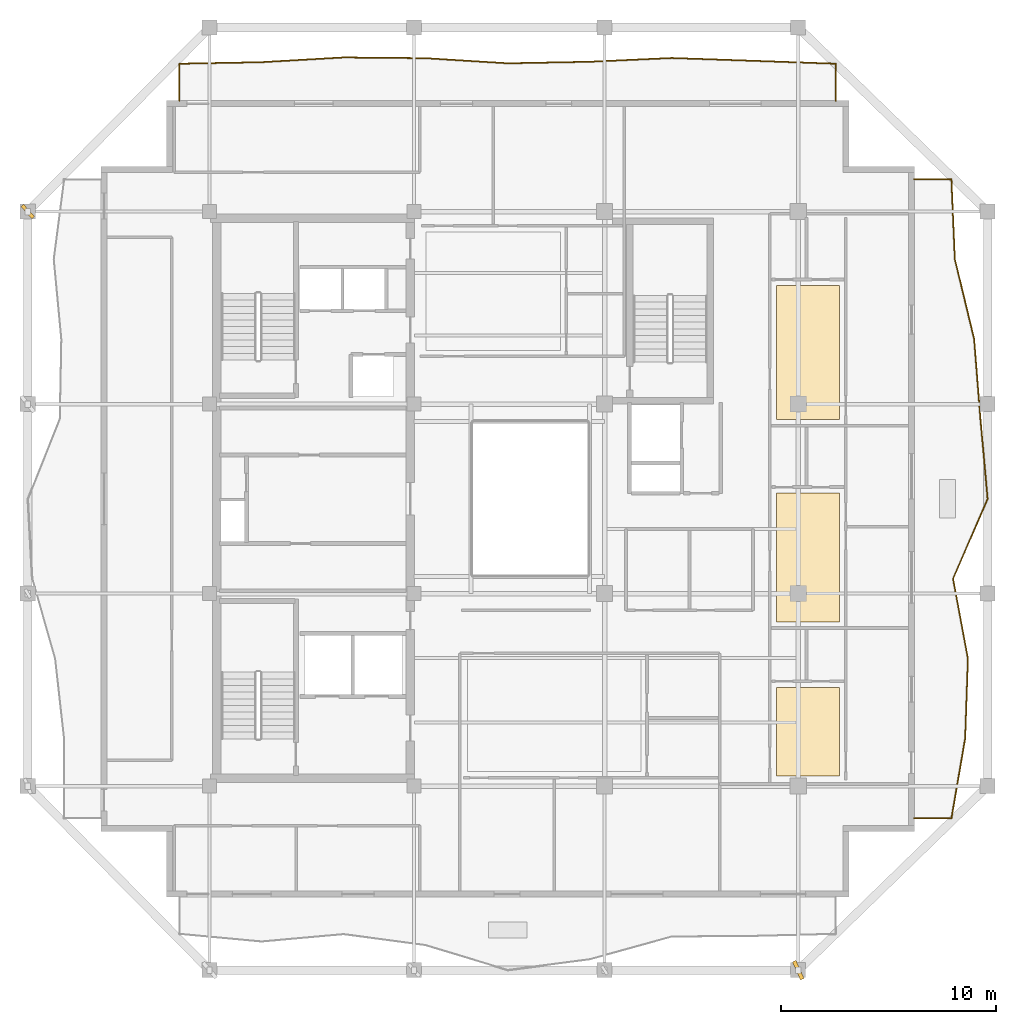
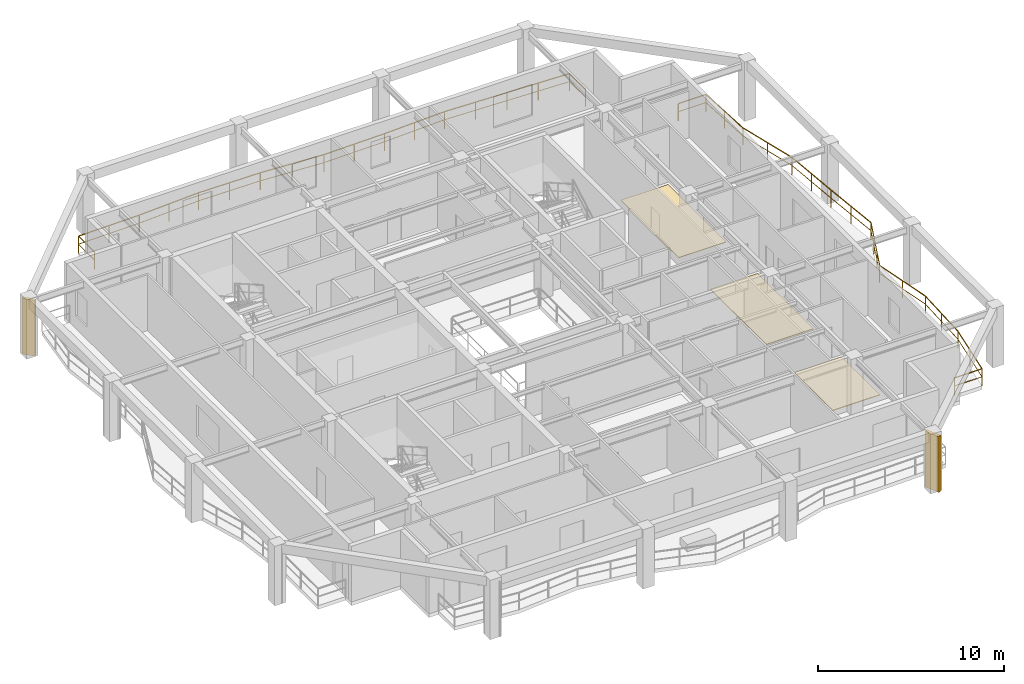
# One storey, part 9 of 10: 3 coverings, 2 railings, 2 shading devices.
"""IFC4 building model written with IfcOpenShell, lengths in metres."""

from ifc_helpers import new_model, si_unit, direction, frame, origin, origin_2d, place, context, subcontext, project, spatial, polyline, rectangle, outline, extrude, material, layer, layer_set, type_object, element, save


model = new_model("IFC4")

# Units and contexts
model_context = context("Model", 3, precision=1e-05, world=origin(), true_north=direction((0.0, 1.0)))
body_context = subcontext(model_context, "Body", "Model", "MODEL_VIEW")
ifc_project = project(units=[si_unit("LENGTHUNIT", "METRE"), si_unit("AREAUNIT", "SQUARE_METRE"), si_unit("VOLUMEUNIT", "CUBIC_METRE"), si_unit("PLANEANGLEUNIT", "RADIAN"), si_unit("MASSUNIT", "GRAM", prefix="KILO")], contexts=[model_context])

# Site, building, storey
site_placement = place(None, origin())
site = spatial("IfcSite", under=ifc_project, at=site_placement, CompositionType="ELEMENT")
building_placement = place(site_placement, origin())
building = spatial("IfcBuilding", under=site, at=building_placement, Name="Kundavana Baori Tower", CompositionType="ELEMENT")
storey_placement = place(building_placement, frame((0.0, 0.0, 292.10009765625)))
storey = spatial("IfcBuildingStorey", under=building, at=storey_placement, Name="L72", CompositionType="ELEMENT", Elevation=292.10009765625)

# Coverings
ifc_material_1 = material(Name="Honed Kota Stone and Terrazzo Flooring", Category="masonry")
ifc_layer = layer(ifc_material_1, 0.0400390625, Name="COV-FLR-TERR-40")
ifc_layer_set = layer_set([ifc_layer], Name="Honed Kota Stone and Terrazzo Flooring")
covering_type = type_object("IfcCoveringType", Name="COV-FLR-TERR-40", PredefinedType="FLOORING", material=ifc_layer_set)
covering_1_placement = place(storey_placement, origin())
element("IfcCovering", 1, at=covering_1_placement, inside=storey, type_object=covering_type, Name="L72 Room Finished Stone Flooring 3", PredefinedType="FLOORING", context=body_context, shape_type="SweptSolid", body=[
    extrude(outline(polyline([(41.780029296875, 15.72998046875), (44.719970703125, 15.72998046875), (44.719970703125, 19.840087890625), (41.780029296875, 19.840087890625), (41.780029296875, 15.72998046875)])), origin(), (0.0, 0.0, 1.0), 0.039794921875),
])
covering_2_placement = place(storey_placement, origin())
element("IfcCovering", 2, at=covering_2_placement, inside=storey, type_object=covering_type, Name="L72 Room Finished Stone Flooring 4", PredefinedType="FLOORING", context=body_context, shape_type="SweptSolid", body=[
    extrude(outline(polyline([(41.780029296875, 22.8798828125), (44.719970703125, 22.8798828125), (44.719970703125, 28.8701171875), (41.780029296875, 28.8701171875), (41.780029296875, 22.8798828125)])), origin(), (0.0, 0.0, 1.0), 0.039794921875),
])
covering_3_placement = place(storey_placement, origin())
element("IfcCovering", 3, at=covering_3_placement, inside=storey, type_object=covering_type, Name="L72 Room Finished Stone Flooring 5", PredefinedType="FLOORING", context=body_context, shape_type="SweptSolid", body=[
    extrude(outline(polyline([(41.780029296875, 32.280029296875), (44.719970703125, 32.280029296875), (44.719970703125, 38.510009765625), (41.780029296875, 38.510009765625), (41.780029296875, 32.280029296875)])), origin(), (0.0, 0.0, 1.0), 0.039794921875),
])

# Railings
ifc_material_2 = material(Name="Architectural Patinated Bronze Metalwork")
railing_type = type_object("IfcRailingType", Name="RL-BAL-1150", PredefinedType="BALUSTRADE", material=ifc_material_2)
railing_1_placement = place(storey_placement, frame((48.199951171875, 43.449951171875, 0.0)))
element("IfcRailing", 4, at=railing_1_placement, inside=storey, type_object=railing_type, Name="L72 Loggia Balcony Balustrade E", PredefinedType="BALUSTRADE", context=body_context, shape_type="SweptSolid", body=[
    extrude(rectangle(XDim=0.048095703125, YDim=0.048095703125, at=origin_2d()), frame((0.0, 0.0, 1.1259765625), z_axis=(1.0, 0.0, 0.0), x_axis=(0.0, 1.0, 0.0)), (0.0, 0.0, 1.0), 1.719970703125),
    extrude(rectangle(XDim=0.03125, YDim=0.03125, at=origin_2d()), frame((0.0, 0.0, 0.597900390625), z_axis=(1.0, 0.0, 0.0), x_axis=(0.0, 1.0, 0.0)), (0.0, 0.0, 1.0), 1.719970703125),
    extrude(rectangle(XDim=0.048095703125, YDim=0.048095703125, at=origin_2d()), frame((1.719970703125, 0.0, 1.1259765625), z_axis=(0.042844074896, -0.999081771051, 0.0), x_axis=(0.999081771051, 0.042844074896, 0.0)), (0.0, 0.0, 1.0), 3.71533203125),
    extrude(rectangle(XDim=0.03125, YDim=0.03125, at=origin_2d()), frame((1.719970703125, 0.0, 0.597900390625), z_axis=(0.042844074896, -0.999081771051, 0.0), x_axis=(0.999081771051, 0.042844074896, 0.0)), (0.0, 0.0, 1.0), 3.71533203125),
    extrude(rectangle(XDim=0.048095703125, YDim=0.048095703125, at=origin_2d()), frame((1.879150390625, -3.7119140625, 1.1259765625), z_axis=(0.234813379548, -0.972040470755, 0.0), x_axis=(0.972040470755, 0.234813379548, 0.0)), (0.0, 0.0, 1.0), 3.81982421875),
    extrude(rectangle(XDim=0.03125, YDim=0.03125, at=origin_2d()), frame((1.879150390625, -3.7119140625, 0.597900390625), z_axis=(0.234813379548, -0.972040470755, 0.0), x_axis=(0.972040470755, 0.234813379548, 0.0)), (0.0, 0.0, 1.0), 3.81982421875),
    extrude(rectangle(XDim=0.048095703125, YDim=0.048095703125, at=origin_2d()), frame((2.776123046875, -7.425048828125, 1.1259765625), z_axis=(0.078400750981, -0.996921923846, 0.0), x_axis=(0.996921923846, 0.078400750981, 0.0)), (0.0, 0.0, 1.0), 3.724365234375),
    extrude(rectangle(XDim=0.03125, YDim=0.03125, at=origin_2d()), frame((2.776123046875, -7.425048828125, 0.597900390625), z_axis=(0.078400750981, -0.996921923846, 0.0), x_axis=(0.996921923846, 0.078400750981, 0.0)), (0.0, 0.0, 1.0), 3.724365234375),
    extrude(rectangle(XDim=0.048095703125, YDim=0.048095703125, at=origin_2d()), frame((3.068115234375, -11.137939453125, 1.1259765625), z_axis=(0.089094418005, -0.996023184811, 0.0), x_axis=(0.996023184811, 0.089094418005, 0.0)), (0.0, 0.0, 1.0), 3.726806640625),
    extrude(rectangle(XDim=0.03125, YDim=0.03125, at=origin_2d()), frame((3.068115234375, -11.137939453125, 0.597900390625), z_axis=(0.089094418005, -0.996023184811, 0.0), x_axis=(0.996023184811, 0.089094418005, 0.0)), (0.0, 0.0, 1.0), 3.726806640625),
    extrude(rectangle(XDim=0.048095703125, YDim=0.048095703125, at=origin_2d()), frame((3.400146484375, -14.849853515625, 1.1259765625), z_axis=(-0.396649952163, -0.917969942563, 0.0), x_axis=(0.917969942563, -0.396649952163, 0.0)), (0.0, 0.0, 1.0), 4.0439453125),
    extrude(rectangle(XDim=0.03125, YDim=0.03125, at=origin_2d()), frame((3.400146484375, -14.849853515625, 0.597900390625), z_axis=(-0.396649952163, -0.917969942563, 0.0), x_axis=(0.917969942563, -0.396649952163, 0.0)), (0.0, 0.0, 1.0), 4.0439453125),
    extrude(rectangle(XDim=0.048095703125, YDim=0.048095703125, at=origin_2d()), frame((1.796142578125, -18.56201171875, 1.1259765625), z_axis=(0.183195604388, -0.983076482545, 0.0), x_axis=(0.983076482545, 0.183195604388, 0.0)), (0.0, 0.0, 1.0), 3.77685546875),
    extrude(rectangle(XDim=0.03125, YDim=0.03125, at=origin_2d()), frame((1.796142578125, -18.56201171875, 0.597900390625), z_axis=(0.183195604388, -0.983076482545, 0.0), x_axis=(0.983076482545, 0.183195604388, 0.0)), (0.0, 0.0, 1.0), 3.77685546875),
    extrude(rectangle(XDim=0.048095703125, YDim=0.048095703125, at=origin_2d()), frame((2.488037109375, -22.27490234375, 1.1259765625), z_axis=(-0.03469538491, -0.999397933891, 0.0), x_axis=(0.999397933891, -0.03469538491, 0.0)), (0.0, 0.0, 1.0), 3.71533203125),
    extrude(rectangle(XDim=0.03125, YDim=0.03125, at=origin_2d()), frame((2.488037109375, -22.27490234375, 0.597900390625), z_axis=(-0.03469538491, -0.999397933891, 0.0), x_axis=(0.999397933891, -0.03469538491, 0.0)), (0.0, 0.0, 1.0), 3.71533203125),
    extrude(rectangle(XDim=0.048095703125, YDim=0.048095703125, at=origin_2d()), frame((2.359130859375, -25.988037109375, 1.1259765625), z_axis=(-0.1696941949, -0.985496768243, 0.0), x_axis=(0.985496768243, -0.1696941949, 0.0)), (0.0, 0.0, 1.0), 3.7666015625),
    extrude(rectangle(XDim=0.03125, YDim=0.03125, at=origin_2d()), frame((2.359130859375, -25.988037109375, 0.597900390625), z_axis=(-0.1696941949, -0.985496768243, 0.0), x_axis=(0.985496768243, -0.1696941949, 0.0)), (0.0, 0.0, 1.0), 3.7666015625),
    extrude(rectangle(XDim=0.048095703125, YDim=0.048095703125, at=origin_2d()), frame((1.719970703125, -29.699951171875, 1.1259765625), z_axis=(-1.0, 0.0, 0.0), x_axis=(0.0, -1.0, 0.0)), (0.0, 0.0, 1.0), 1.719970703125),
    extrude(rectangle(XDim=0.03125, YDim=0.03125, at=origin_2d()), frame((1.719970703125, -29.699951171875, 0.597900390625), z_axis=(-1.0, 0.0, 0.0), x_axis=(0.0, -1.0, 0.0)), (0.0, 0.0, 1.0), 1.719970703125),
    extrude(rectangle(XDim=0.0419921875, YDim=0.0419921875, at=origin_2d()), origin(), (0.0, 0.0, 1.0), 1.101806640625),
    extrude(rectangle(XDim=0.0419921875, YDim=0.0419921875, at=origin_2d()), frame((1.719970703125, 0.0, 0.0)), (0.0, 0.0, 1.0), 1.101806640625),
    extrude(rectangle(XDim=0.0419921875, YDim=0.0419921875, at=origin_2d()), frame((1.799560546875, -1.85595703125, 0.0)), (0.0, 0.0, 1.0), 1.101806640625),
    extrude(rectangle(XDim=0.0419921875, YDim=0.0419921875, at=origin_2d()), frame((1.879150390625, -3.7119140625, 0.0)), (0.0, 0.0, 1.0), 1.101806640625),
    extrude(rectangle(XDim=0.0419921875, YDim=0.0419921875, at=origin_2d()), frame((2.32763671875, -5.568359375, 0.0)), (0.0, 0.0, 1.0), 1.101806640625),
    extrude(rectangle(XDim=0.0419921875, YDim=0.0419921875, at=origin_2d()), frame((2.776123046875, -7.425048828125, 0.0)), (0.0, 0.0, 1.0), 1.101806640625),
    extrude(rectangle(XDim=0.0419921875, YDim=0.0419921875, at=origin_2d()), frame((2.922119140625, -9.281494140625, 0.0)), (0.0, 0.0, 1.0), 1.101806640625),
    extrude(rectangle(XDim=0.0419921875, YDim=0.0419921875, at=origin_2d()), frame((3.068115234375, -11.137939453125, 0.0)), (0.0, 0.0, 1.0), 1.101806640625),
    extrude(rectangle(XDim=0.0419921875, YDim=0.0419921875, at=origin_2d()), frame((3.234130859375, -12.993896484375, 0.0)), (0.0, 0.0, 1.0), 1.101806640625),
    extrude(rectangle(XDim=0.0419921875, YDim=0.0419921875, at=origin_2d()), frame((3.400146484375, -14.849853515625, 0.0)), (0.0, 0.0, 1.0), 1.101806640625),
    extrude(rectangle(XDim=0.0419921875, YDim=0.0419921875, at=origin_2d()), frame((2.865478515625, -16.087158203125, 0.0)), (0.0, 0.0, 1.0), 1.101806640625),
    extrude(rectangle(XDim=0.0419921875, YDim=0.0419921875, at=origin_2d()), frame((2.330810546875, -17.32470703125, 0.0)), (0.0, 0.0, 1.0), 1.101806640625),
    extrude(rectangle(XDim=0.0419921875, YDim=0.0419921875, at=origin_2d()), frame((1.796142578125, -18.56201171875, 0.0)), (0.0, 0.0, 1.0), 1.101806640625),
    extrude(rectangle(XDim=0.0419921875, YDim=0.0419921875, at=origin_2d()), frame((2.14208984375, -20.41845703125, 0.0)), (0.0, 0.0, 1.0), 1.101806640625),
    extrude(rectangle(XDim=0.0419921875, YDim=0.0419921875, at=origin_2d()), frame((2.488037109375, -22.27490234375, 0.0)), (0.0, 0.0, 1.0), 1.101806640625),
    extrude(rectangle(XDim=0.0419921875, YDim=0.0419921875, at=origin_2d()), frame((2.423583984375, -24.13134765625, 0.0)), (0.0, 0.0, 1.0), 1.101806640625),
    extrude(rectangle(XDim=0.0419921875, YDim=0.0419921875, at=origin_2d()), frame((2.359130859375, -25.988037109375, 0.0)), (0.0, 0.0, 1.0), 1.101806640625),
    extrude(rectangle(XDim=0.0419921875, YDim=0.0419921875, at=origin_2d()), frame((2.03955078125, -27.843994140625, 0.0)), (0.0, 0.0, 1.0), 1.101806640625),
    extrude(rectangle(XDim=0.0419921875, YDim=0.0419921875, at=origin_2d()), frame((1.719970703125, -29.699951171875, 0.0)), (0.0, 0.0, 1.0), 1.101806640625),
    extrude(rectangle(XDim=0.0419921875, YDim=0.0419921875, at=origin_2d()), frame((0.0, -29.699951171875, 0.0)), (0.0, 0.0, 1.0), 1.101806640625),
])
railing_2_placement = place(storey_placement, frame((14.050048828125, 47.10009765625, 0.0)))
element("IfcRailing", 5, at=railing_2_placement, inside=storey, type_object=railing_type, Name="L72 Loggia Balcony Balustrade N", PredefinedType="BALUSTRADE", context=body_context, shape_type="SweptSolid", body=[
    extrude(rectangle(XDim=0.048095703125, YDim=0.048095703125, at=origin_2d()), frame((0.0, 0.0, 1.1259765625), z_axis=(0.0, 1.0, 0.0), x_axis=(-1.0, 0.0, 0.0)), (0.0, 0.0, 1.0), 1.719970703125),
    extrude(rectangle(XDim=0.03125, YDim=0.03125, at=origin_2d()), frame((0.0, 0.0, 0.597900390625), z_axis=(0.0, 1.0, 0.0), x_axis=(-1.0, 0.0, 0.0)), (0.0, 0.0, 1.0), 1.719970703125),
    extrude(rectangle(XDim=0.048095703125, YDim=0.048095703125, at=origin_2d()), frame((0.0, 1.719970703125, 1.1259765625), z_axis=(0.99982166072, 0.018885093476, 0.0), x_axis=(-0.018885093476, 0.99982166072, 0.0)), (0.0, 0.0, 1.0), 3.813720703125),
    extrude(rectangle(XDim=0.03125, YDim=0.03125, at=origin_2d()), frame((0.0, 1.719970703125, 0.597900390625), z_axis=(0.99982166072, 0.018885093476, 0.0), x_axis=(-0.018885093476, 0.99982166072, 0.0)), (0.0, 0.0, 1.0), 3.813720703125),
    extrude(rectangle(XDim=0.048095703125, YDim=0.048095703125, at=origin_2d()), frame((3.81298828125, 1.7919921875, 1.1259765625), z_axis=(0.998324492989, 0.057863690672, 0.0), x_axis=(-0.057863690672, 0.998324492989, 0.0)), (0.0, 0.0, 1.0), 3.818359375),
    extrude(rectangle(XDim=0.03125, YDim=0.03125, at=origin_2d()), frame((3.81298828125, 1.7919921875, 0.597900390625), z_axis=(0.998324492989, 0.057863690672, 0.0), x_axis=(-0.057863690672, 0.998324492989, 0.0)), (0.0, 0.0, 1.0), 3.818359375),
    extrude(rectangle(XDim=0.048095703125, YDim=0.048095703125, at=origin_2d()), frame((7.625, 2.012939453125, 1.1259765625), z_axis=(0.999955080406, -0.009478247208, 0.0), x_axis=(0.009478247208, 0.999955080406, 0.0)), (0.0, 0.0, 1.0), 3.812255859375),
    extrude(rectangle(XDim=0.03125, YDim=0.03125, at=origin_2d()), frame((7.625, 2.012939453125, 0.597900390625), z_axis=(0.999955080406, -0.009478247208, 0.0), x_axis=(0.009478247208, 0.999955080406, 0.0)), (0.0, 0.0, 1.0), 3.812255859375),
    extrude(rectangle(XDim=0.048095703125, YDim=0.048095703125, at=origin_2d()), frame((11.43701171875, 1.976806640625, 1.1259765625), z_axis=(0.998076870977, -0.061988382946, 0.0), x_axis=(0.061988382946, 0.998076870977, 0.0)), (0.0, 0.0, 1.0), 3.8203125),
    extrude(rectangle(XDim=0.03125, YDim=0.03125, at=origin_2d()), frame((11.43701171875, 1.976806640625, 0.597900390625), z_axis=(0.998076870977, -0.061988382946, 0.0), x_axis=(0.061988382946, 0.998076870977, 0.0)), (0.0, 0.0, 1.0), 3.8203125),
    extrude(rectangle(XDim=0.048095703125, YDim=0.048095703125, at=origin_2d()), frame((15.25, 1.739990234375, 1.1259765625), z_axis=(0.999821569358, 0.01888992974, 0.0), x_axis=(-0.01888992974, 0.999821569358, 0.0)), (0.0, 0.0, 1.0), 3.812744140625),
    extrude(rectangle(XDim=0.03125, YDim=0.03125, at=origin_2d()), frame((15.25, 1.739990234375, 0.597900390625), z_axis=(0.999821569358, 0.01888992974, 0.0), x_axis=(-0.01888992974, 0.999821569358, 0.0)), (0.0, 0.0, 1.0), 3.812744140625),
    extrude(rectangle(XDim=0.048095703125, YDim=0.048095703125, at=origin_2d()), frame((19.06201171875, 1.81201171875, 1.1259765625), z_axis=(0.998962464772, 0.045541124018, 0.0), x_axis=(-0.045541124018, 0.998962464772, 0.0)), (0.0, 0.0, 1.0), 3.81689453125),
    extrude(rectangle(XDim=0.03125, YDim=0.03125, at=origin_2d()), frame((19.06201171875, 1.81201171875, 0.597900390625), z_axis=(0.998962464772, 0.045541124018, 0.0), x_axis=(-0.045541124018, 0.998962464772, 0.0)), (0.0, 0.0, 1.0), 3.81689453125),
    extrude(rectangle(XDim=0.048095703125, YDim=0.048095703125, at=origin_2d()), frame((22.875, 1.98583984375, 1.1259765625), z_axis=(0.999420054757, -0.034052226792, 0.0), x_axis=(0.034052226792, 0.999420054757, 0.0)), (0.0, 0.0, 1.0), 3.814208984375),
    extrude(rectangle(XDim=0.03125, YDim=0.03125, at=origin_2d()), frame((22.875, 1.98583984375, 0.597900390625), z_axis=(0.999420054757, -0.034052226792, 0.0), x_axis=(0.034052226792, 0.999420054757, 0.0)), (0.0, 0.0, 1.0), 3.814208984375),
    extrude(rectangle(XDim=0.048095703125, YDim=0.048095703125, at=origin_2d()), frame((26.68701171875, 1.85595703125, 1.1259765625), z_axis=(0.99936464638, -0.035641318225, 0.0), x_axis=(0.035641318225, 0.99936464638, 0.0)), (0.0, 0.0, 1.0), 3.8154296875),
    extrude(rectangle(XDim=0.03125, YDim=0.03125, at=origin_2d()), frame((26.68701171875, 1.85595703125, 0.597900390625), z_axis=(0.99936464638, -0.035641318225, 0.0), x_axis=(0.035641318225, 0.99936464638, 0.0)), (0.0, 0.0, 1.0), 3.8154296875),
    extrude(rectangle(XDim=0.048095703125, YDim=0.048095703125, at=origin_2d()), frame((30.5, 1.719970703125, 1.1259765625), z_axis=(0.0, -1.0, 0.0), x_axis=(1.0, 0.0, 0.0)), (0.0, 0.0, 1.0), 1.719970703125),
    extrude(rectangle(XDim=0.03125, YDim=0.03125, at=origin_2d()), frame((30.5, 1.719970703125, 0.597900390625), z_axis=(0.0, -1.0, 0.0), x_axis=(1.0, 0.0, 0.0)), (0.0, 0.0, 1.0), 1.719970703125),
    extrude(rectangle(XDim=0.0419921875, YDim=0.0419921875, at=origin_2d()), origin(), (0.0, 0.0, 1.0), 1.101806640625),
    extrude(rectangle(XDim=0.0419921875, YDim=0.0419921875, at=origin_2d()), frame((0.0, 1.719970703125, 0.0)), (0.0, 0.0, 1.0), 1.101806640625),
    extrude(rectangle(XDim=0.0419921875, YDim=0.0419921875, at=origin_2d()), frame((1.906494140625, 1.755859375, 0.0)), (0.0, 0.0, 1.0), 1.101806640625),
    extrude(rectangle(XDim=0.0419921875, YDim=0.0419921875, at=origin_2d()), frame((3.81298828125, 1.7919921875, 0.0)), (0.0, 0.0, 1.0), 1.101806640625),
    extrude(rectangle(XDim=0.0419921875, YDim=0.0419921875, at=origin_2d()), frame((5.718994140625, 1.90234375, 0.0)), (0.0, 0.0, 1.0), 1.101806640625),
    extrude(rectangle(XDim=0.0419921875, YDim=0.0419921875, at=origin_2d()), frame((7.625, 2.012939453125, 0.0)), (0.0, 0.0, 1.0), 1.101806640625),
    extrude(rectangle(XDim=0.0419921875, YDim=0.0419921875, at=origin_2d()), frame((9.531005859375, 1.994873046875, 0.0)), (0.0, 0.0, 1.0), 1.101806640625),
    extrude(rectangle(XDim=0.0419921875, YDim=0.0419921875, at=origin_2d()), frame((11.43701171875, 1.976806640625, 0.0)), (0.0, 0.0, 1.0), 1.101806640625),
    extrude(rectangle(XDim=0.0419921875, YDim=0.0419921875, at=origin_2d()), frame((13.343505859375, 1.8583984375, 0.0)), (0.0, 0.0, 1.0), 1.101806640625),
    extrude(rectangle(XDim=0.0419921875, YDim=0.0419921875, at=origin_2d()), frame((15.25, 1.739990234375, 0.0)), (0.0, 0.0, 1.0), 1.101806640625),
    extrude(rectangle(XDim=0.0419921875, YDim=0.0419921875, at=origin_2d()), frame((17.156005859375, 1.77587890625, 0.0)), (0.0, 0.0, 1.0), 1.101806640625),
    extrude(rectangle(XDim=0.0419921875, YDim=0.0419921875, at=origin_2d()), frame((19.06201171875, 1.81201171875, 0.0)), (0.0, 0.0, 1.0), 1.101806640625),
    extrude(rectangle(XDim=0.0419921875, YDim=0.0419921875, at=origin_2d()), frame((20.968505859375, 1.89892578125, 0.0)), (0.0, 0.0, 1.0), 1.101806640625),
    extrude(rectangle(XDim=0.0419921875, YDim=0.0419921875, at=origin_2d()), frame((22.875, 1.98583984375, 0.0)), (0.0, 0.0, 1.0), 1.101806640625),
    extrude(rectangle(XDim=0.0419921875, YDim=0.0419921875, at=origin_2d()), frame((24.781005859375, 1.9208984375, 0.0)), (0.0, 0.0, 1.0), 1.101806640625),
    extrude(rectangle(XDim=0.0419921875, YDim=0.0419921875, at=origin_2d()), frame((26.68701171875, 1.85595703125, 0.0)), (0.0, 0.0, 1.0), 1.101806640625),
    extrude(rectangle(XDim=0.0419921875, YDim=0.0419921875, at=origin_2d()), frame((28.593505859375, 1.7880859375, 0.0)), (0.0, 0.0, 1.0), 1.101806640625),
    extrude(rectangle(XDim=0.0419921875, YDim=0.0419921875, at=origin_2d()), frame((30.5, 1.719970703125, 0.0)), (0.0, 0.0, 1.0), 1.101806640625),
    extrude(rectangle(XDim=0.0419921875, YDim=0.0419921875, at=origin_2d()), frame((30.5, 0.0, 0.0)), (0.0, 0.0, 1.0), 1.101806640625),
])

# Shading devices
ifc_material_3 = material(Name="Red-Buff Dholpur Sandstone Cladding on Concrete C40/50", Category="masonry")
shading_device_type_1 = type_object("IfcShadingDeviceType", Name="SHD-FIN-750", PredefinedType="JALOUSIE", material=ifc_material_3)
shading_device_1_placement = place(storey_placement, frame((7.0, 41.949951171875, 0.0), z_axis=(0.0, 0.0, 1.0), x_axis=(0.745824893064, 0.66614204858, 0.0)))
element("IfcShadingDevice", 6, at=shading_device_1_placement, inside=storey, type_object=shading_device_type_1, Name="L72 Sweeping Dholpur Sandstone Facade Fin 8", PredefinedType="JALOUSIE", context=body_context, shape_type="SweptSolid", body=[
    extrude(rectangle(XDim=0.159912109375, YDim=0.75, at=origin_2d()), origin(), (0.0, 0.0, 1.0), 3.659912109375),
])
ifc_material_4 = material(Name="Red-Buff Dholpur Sandstone Cladding on Concrete C40/50", Category="masonry")
shading_device_type_2 = type_object("IfcShadingDeviceType", Name="SHD-FIN-920", PredefinedType="JALOUSIE", material=ifc_material_4)
shading_device_2_placement = place(storey_placement, frame((42.800048828125, 6.699951171875, 0.0), z_axis=(0.0, 0.0, 1.0), x_axis=(0.913474454793, 0.406896080641, 0.0)))
element("IfcShadingDevice", 7, at=shading_device_2_placement, inside=storey, type_object=shading_device_type_2, Name="L72 Sweeping Dholpur Sandstone Facade Fin 4", PredefinedType="JALOUSIE", context=body_context, shape_type="SweptSolid", body=[
    extrude(rectangle(XDim=0.179931640625, YDim=0.919921875, at=origin_2d()), origin(), (0.0, 0.0, 1.0), 3.659912109375),
])

save(model, "model.ifc")
